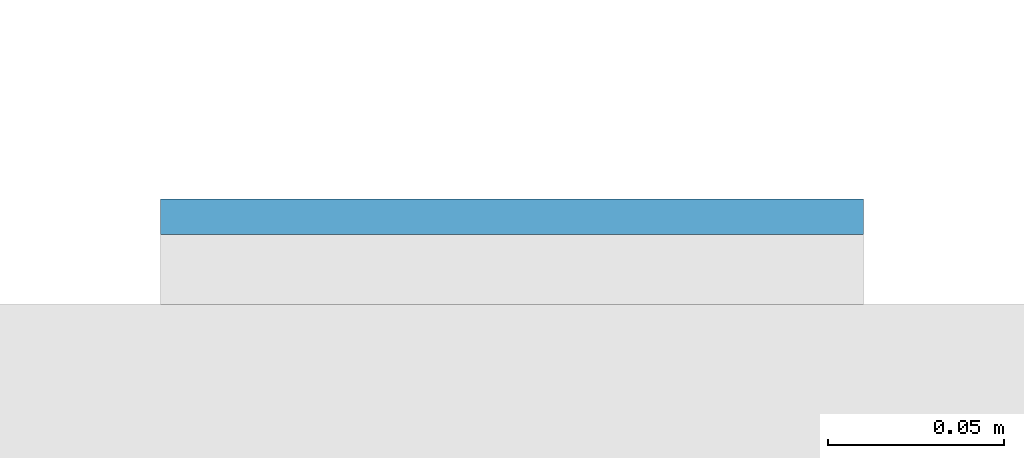
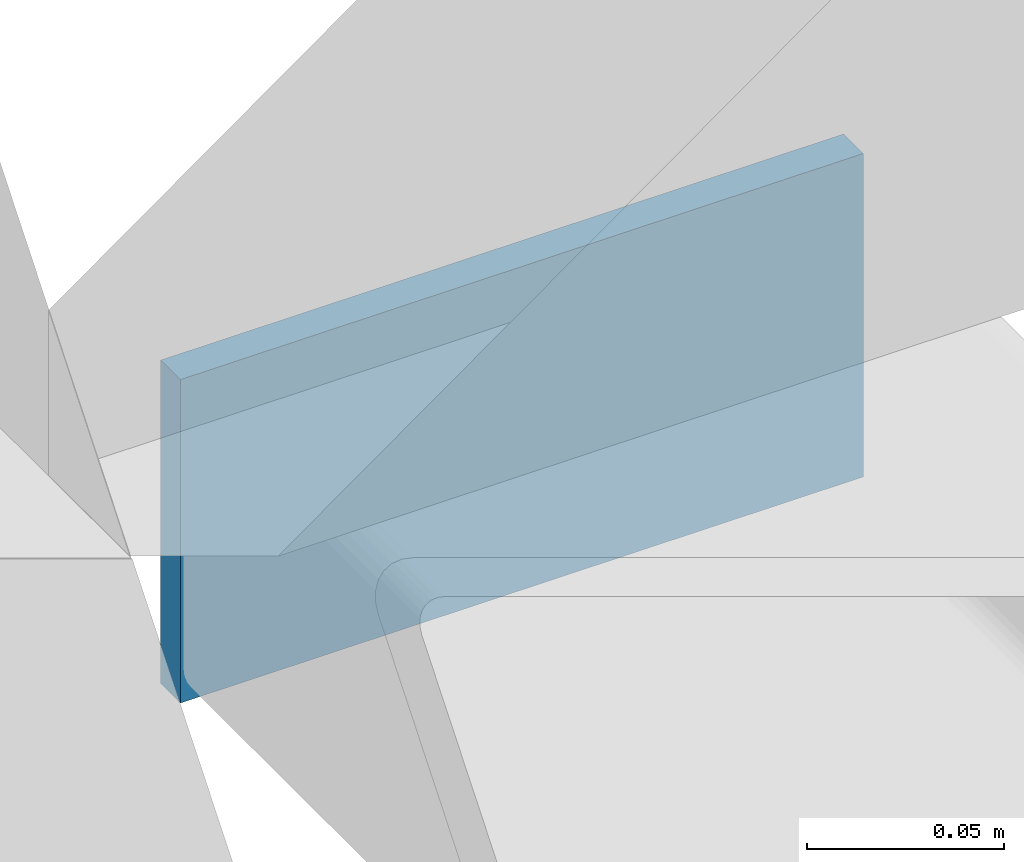
# One storey, part 6 of 12: 1 plate.
"""IFC4 building model written with IfcOpenShell, lengths in metres."""

from ifc_helpers import new_model, si_unit, direction, frame, origin, origin_2d, place, context, subcontext, project, spatial, rectangle, extrude, material, layer, layer_set, type_object, element, save


model = new_model("IFC4")

# Units and contexts
model_context = context("Model", 3, precision=1e-05, world=origin(), true_north=direction((0.0, 1.0)))
body_context = subcontext(model_context, "Body", "Model", "MODEL_VIEW")
ifc_project = project(units=[si_unit("LENGTHUNIT", "METRE"), si_unit("AREAUNIT", "SQUARE_METRE"), si_unit("VOLUMEUNIT", "CUBIC_METRE"), si_unit("PLANEANGLEUNIT", "RADIAN"), si_unit("MASSUNIT", "GRAM", prefix="KILO")], contexts=[model_context])

# Site, building, storey
site_placement = place(None, origin())
site = spatial("IfcSite", under=ifc_project, at=site_placement, CompositionType="ELEMENT")
building_placement = place(site_placement, origin())
building = spatial("IfcBuilding", under=site, at=building_placement, Name="Cleftline Residences", CompositionType="ELEMENT")
storey_placement = place(building_placement, frame((0.0, 0.0, 252.0)))
storey = spatial("IfcBuildingStorey", under=building, at=storey_placement, Name="L66", CompositionType="ELEMENT", Elevation=252.0)

# Plate
ifc_material = material(Name="Steel S355, hot-dip galvanised", Category="steel")
ifc_layer = layer(ifc_material, 0.010009765625)
ifc_layer_set = layer_set([ifc_layer], Name="BAGUETTE CARRIER END PLATE 200X100X10")
plate_type = type_object("IfcPlateType", Name="BAGUETTE CARRIER END PLATE 200X100X10", PredefinedType="USERDEFINED", material=ifc_layer_set)
plate_placement = place(storey_placement, frame((66.85009765625, 44.304931640625, -0.10009765625), z_axis=(0.0, 0.0, 1.0), x_axis=(1.0, 0.0, 0.0)))
element("IfcPlate", 1, at=plate_placement, inside=storey, type_object=plate_type, Name="Baguette carrier end plate", ObjectType="BAGUETTE CARRIER END PLATE", PredefinedType="USERDEFINED", context=body_context, shape_type="SweptSolid", body=[
    extrude(rectangle(XDim=0.199951171875, YDim=0.010009765625, at=origin_2d()), origin(), (0.0, 0.0, 1.0), 0.10009765625),
])

save(model, "model.ifc")
